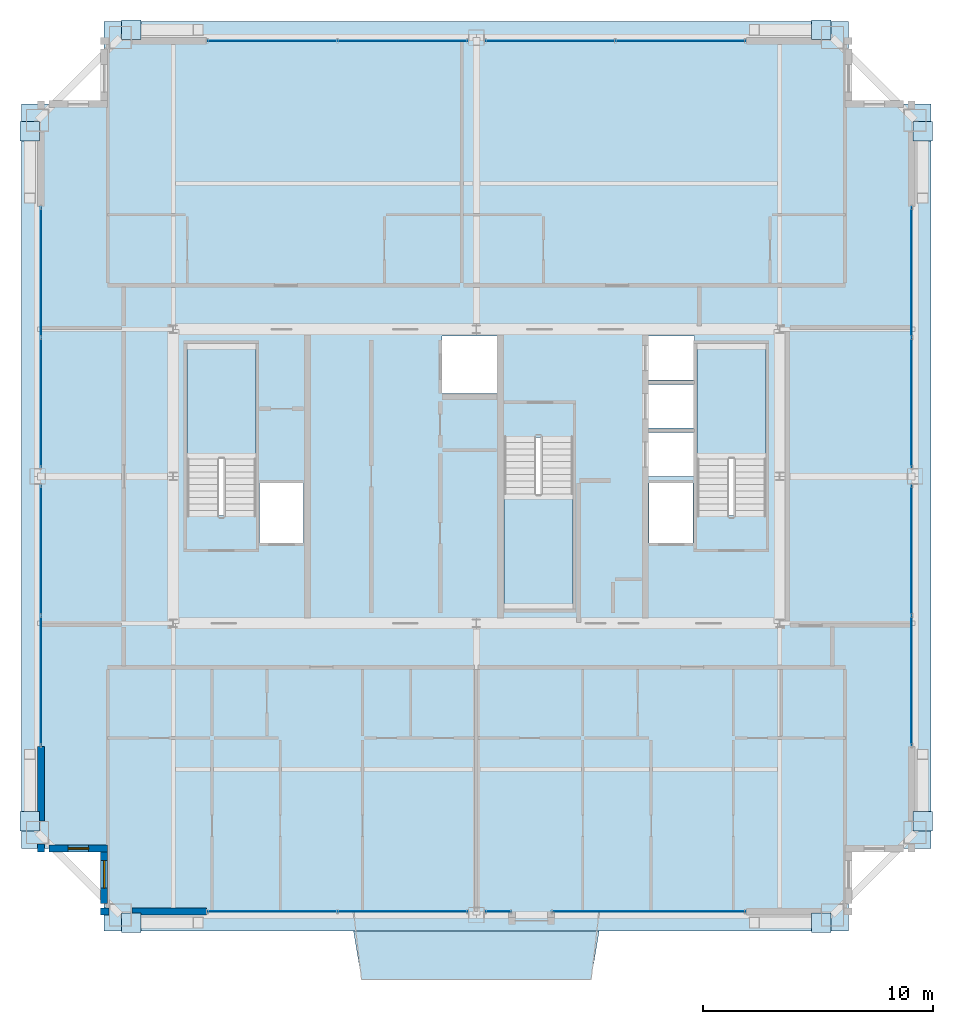
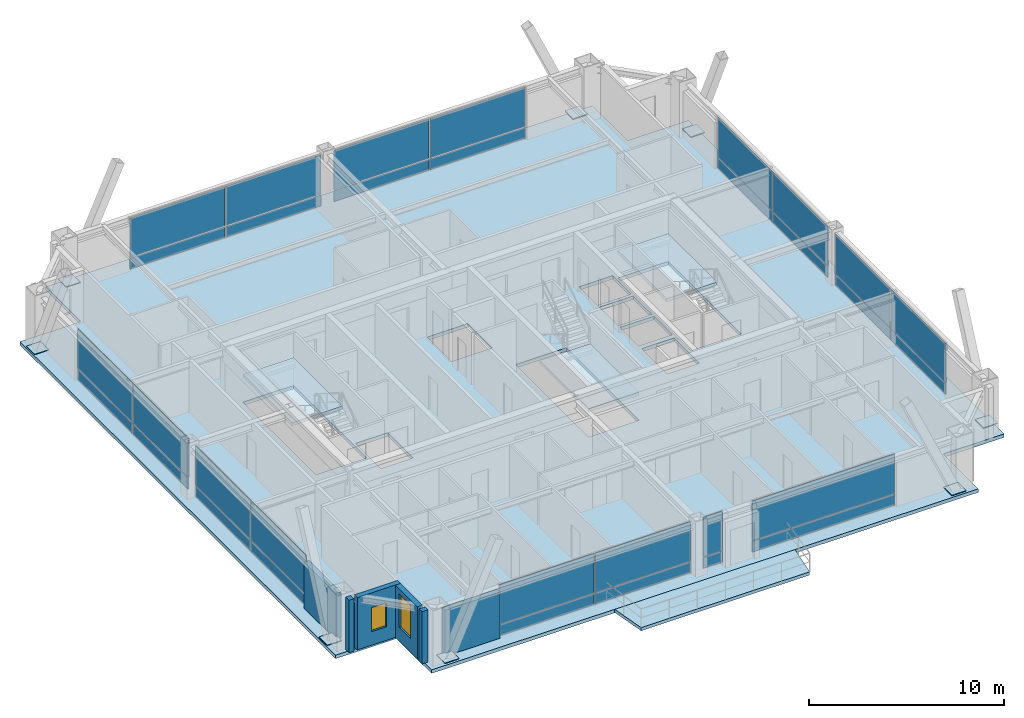
# One storey, part 29 of 34: 40 plates, 6 walls, 5 slabs, 2 windows, 2 openings, 12 elements without a shape of their own.
"""IFC4 building model written with IfcOpenShell, lengths in metres."""

from ifc_helpers import new_model, si_unit, direction, frame, frame_2d, origin, origin_2d, place, context, subcontext, project, spatial, polyline, rectangle, outline, extrude, source, transform, mapped, material, layer, layer_set, type_object, element, fill, aggregate, save


model = new_model("IFC4")

# Units and contexts
model_context = context("Model", 3, precision=1e-05, world=origin(), true_north=direction((0.0, 1.0)))
body_context = subcontext(model_context, "Body", "Model", "MODEL_VIEW")
ifc_project = project(units=[si_unit("LENGTHUNIT", "METRE"), si_unit("AREAUNIT", "SQUARE_METRE"), si_unit("VOLUMEUNIT", "CUBIC_METRE"), si_unit("PLANEANGLEUNIT", "RADIAN"), si_unit("MASSUNIT", "GRAM", prefix="KILO"), si_unit("THERMODYNAMICTEMPERATUREUNIT", "KELVIN"), si_unit("POWERUNIT", "WATT")], contexts=[model_context])

# Site, building, storey
site_placement = place(None, origin())
site = spatial("IfcSite", under=ifc_project, at=site_placement, CompositionType="ELEMENT")
building_placement = place(site_placement, origin())
building = spatial("IfcBuilding", under=site, at=building_placement, Name="Yuzanri Waterfront Tower", CompositionType="ELEMENT")
storey_placement = place(building_placement, frame((0.0, 0.0, 328.699951171875)))
storey = spatial("IfcBuildingStorey", under=building, at=storey_placement, Name="L88", CompositionType="ELEMENT", Elevation=328.699951171875)

# Slab
ifc_material_1 = material(Name="Concrete C40", Category="concrete")
ifc_layer_1 = layer(ifc_material_1, 0.199951171875)
ifc_layer_set_1 = layer_set([ifc_layer_1], Name="Concrete C40")
slab_type_1 = type_object("IfcSlabType", Name="Concrete C40 Cantilevered Engawa Wave Terrace Slab 200", PredefinedType="FLOOR", material=ifc_layer_set_1)
slab_1_placement = place(storey_placement, frame((0.0, 0.0, -0.199951171875)))
element("IfcSlab", 1, at=slab_1_placement, inside=storey, type_object=slab_type_1, Name="L88 S Cantilevered Engawa Terrace Slab", PredefinedType="FLOOR", context=body_context, shape_type="SweptSolid", body=[
    extrude(outline(polyline([(31.654541015625, 6.0), (42.345458984375, 6.0), (41.99560546875, 3.90087890625), (32.00439453125, 3.90087890625), (31.654541015625, 6.0)])), origin(), (0.0, 0.0, 1.0), 0.199951171875),
])

# Stair, slab
ifc_material_2 = material(Name="Concrete C40", Category="concrete")
stair_type = type_object("IfcStairType", Name="Concrete C40 Core Dogleg Exit Stair", PredefinedType="HALF_TURN_STAIR", material=ifc_material_2)
stair_1_placement = place(storey_placement, origin())
stair_1 = element("IfcStair", 2, at=stair_1_placement, inside=storey, type_object=stair_type, Name="L88 Smoke-Proof Core Stair ST-01", PredefinedType="HALF_TURN_STAIR")
ifc_material_3 = material(Name="Concrete C40", Category="concrete")
ifc_layer_2 = layer(ifc_material_3, 0.179931640625)
ifc_layer_set_2 = layer_set([ifc_layer_2], Name="Concrete C40")
slab_type_2 = type_object("IfcSlabType", Name="Concrete C40 Stair Half-Landing Slab 180", PredefinedType="LANDING", material=ifc_layer_set_2)
slab_2_placement = place(storey_placement, frame((0.0, 0.0, 1.550048828125)))
slab_2 = element("IfcSlab", 3, at=slab_2_placement, type_object=slab_type_2, Name="ST-01 landing 1", PredefinedType="LANDING", context=body_context, shape_type="SweptSolid", body=[
    extrude(outline(polyline([(27.39990234375, 26.56005859375), (27.39990234375, 31.580078125), (24.39990234375, 31.580078125), (24.39990234375, 26.56005859375), (27.39990234375, 26.56005859375)])), origin(), (0.0, 0.0, 1.0), 0.199951171875),
])
aggregate(stair_1, [slab_2])

stair_2_placement = place(storey_placement, origin())
stair_2 = element("IfcStair", 4, at=stair_2_placement, inside=storey, type_object=stair_type, Name="L88 Smoke-Proof Core Stair ST-02", PredefinedType="HALF_TURN_STAIR")
slab_3_placement = place(storey_placement, frame((0.0, 0.0, 1.550048828125)))
slab_3 = element("IfcSlab", 5, at=slab_3_placement, type_object=slab_type_2, Name="ST-02 landing 1", PredefinedType="LANDING", context=body_context, shape_type="SweptSolid", body=[
    extrude(outline(polyline([(49.60009765625, 26.56005859375), (49.60009765625, 31.580078125), (46.60009765625, 31.580078125), (46.60009765625, 26.56005859375), (49.60009765625, 26.56005859375)])), origin(), (0.0, 0.0, 1.0), 0.199951171875),
])
aggregate(stair_2, [slab_3])

stair_3_placement = place(storey_placement, origin())
stair_3 = element("IfcStair", 6, at=stair_3_placement, inside=storey, type_object=stair_type, Name="L88 Smoke-Proof Core Stair ST-03", PredefinedType="HALF_TURN_STAIR")
slab_4_placement = place(storey_placement, frame((0.0, 0.0, 1.550048828125)))
slab_4 = element("IfcSlab", 7, at=slab_4_placement, type_object=slab_type_2, Name="ST-03 landing 1", PredefinedType="LANDING", context=body_context, shape_type="SweptSolid", body=[
    extrude(outline(polyline([(38.199951171875, 25.0400390625), (38.199951171875, 20.02001953125), (41.199951171875, 20.02001953125), (41.199951171875, 25.0400390625), (38.199951171875, 25.0400390625)])), origin(), (0.0, 0.0, 1.0), 0.199951171875),
])
aggregate(stair_3, [slab_4])

# Slab
ifc_material_4 = material(Name="Concrete C40", Category="concrete")
ifc_layer_3 = layer(ifc_material_4, 0.219970703125)
ifc_layer_set_3 = layer_set([ifc_layer_3], Name="Concrete C40")
slab_type_3 = type_object("IfcSlabType", Name="Concrete C40 Tower Typical Structural Floor Slab 220", PredefinedType="FLOOR", material=ifc_layer_set_3)
slab_5_placement = place(storey_placement, frame((0.0, 0.0, -0.219970703125)))
element("IfcSlab", 8, at=slab_5_placement, inside=storey, type_object=slab_type_3, Name="L88 Main Structural Floor Slab", PredefinedType="FLOOR", context=body_context, shape_type="SweptSolid", body=[
    extrude(outline(polyline([(20.800048828125, 6.0), (53.199951171875, 6.0), (53.199951171875, 9.60009765625), (56.800048828125, 9.60009765625), (56.800048828125, 42.0), (53.199951171875, 42.0), (53.199951171875, 45.60009765625), (20.800048828125, 45.60009765625), (20.800048828125, 42.0), (17.199951171875, 42.0), (17.199951171875, 9.60009765625), (20.800048828125, 9.60009765625), (20.800048828125, 6.0)]), holes=[polyline([(27.39990234375, 24.10009765625), (27.39990234375, 31.580078125), (24.39990234375, 31.580078125), (24.39990234375, 24.10009765625), (27.39990234375, 24.10009765625)]), polyline([(49.60009765625, 24.10009765625), (49.60009765625, 31.580078125), (46.60009765625, 31.580078125), (46.60009765625, 24.10009765625), (49.60009765625, 24.10009765625)]), polyline([(38.199951171875, 27.5), (38.199951171875, 20.02001953125), (41.199951171875, 20.02001953125), (41.199951171875, 27.5), (38.199951171875, 27.5)]), polyline([(27.56005859375, 22.89990234375), (29.47998046875, 22.89990234375), (29.47998046875, 25.5), (27.56005859375, 25.5), (27.56005859375, 22.89990234375)]), polyline([(44.52001953125, 22.89990234375), (46.43994140625, 22.89990234375), (46.43994140625, 25.5), (44.52001953125, 25.5), (44.52001953125, 22.89990234375)]), polyline([(35.5, 29.39990234375), (37.89990234375, 29.39990234375), (37.89990234375, 31.89990234375), (35.5, 31.89990234375), (35.5, 29.39990234375)]), polyline([(44.5, 25.800048828125), (46.5, 25.800048828125), (46.5, 27.699951171875), (44.5, 27.699951171875), (44.5, 25.800048828125)]), polyline([(44.5, 27.89990234375), (46.5, 27.89990234375), (46.5, 29.800048828125), (44.5, 29.800048828125), (44.5, 27.89990234375)]), polyline([(44.5, 30.0), (46.5, 30.0), (46.5, 31.89990234375), (44.5, 31.89990234375), (44.5, 30.0)])]), origin(), (0.0, 0.0, 1.0), 0.219970703125),
])

# Plates
ifc_material_5 = material(Name="Steel Q420GJC", Category="steel")
ifc_layer_4 = layer(ifc_material_5, 0.0400390625)
ifc_layer_set_4 = layer_set([ifc_layer_4], Name="Steel Q420GJC")
plate_type_1 = type_object("IfcPlateType", Name="Steel Q420GJC Mega-Brace Gusset and End-Cap Plate 40", PredefinedType="SHEET", material=ifc_layer_set_4)
shared_shape_1 = source(origin(), body_context, "Body", "SweptSolid", [
    extrude(rectangle(XDim=0.85009765625, YDim=0.85009765625, at=origin_2d()), origin(), (0.0, 0.0, 1.0), 0.0400390625),
])
for number, where, z_axis, x_axis, name in (
    (9, (21.97998046875, 6.360107421875, 0.159912109375), (0.0, 0.0, 1.0), (1.0, 0.0, 0.0), "L88 Mega-Brace Foot Cap Plate S-L"),
    (10, (52.02001953125, 6.360107421875, 0.159912109375), (0.0, 0.0, 1.0), (1.0, 0.0, 0.0), "L88 Mega-Brace Foot Cap Plate S-R"),
    (11, (21.97998046875, 45.239990234375, 0.159912109375), (0.0, 0.0, 1.0), (1.0, 0.0, 0.0), "L88 Mega-Brace Foot Cap Plate N-L"),
    (12, (52.02001953125, 45.239990234375, 0.159912109375), (0.0, 0.0, 1.0), (1.0, 0.0, 0.0), "L88 Mega-Brace Foot Cap Plate N-R"),
    (13, (17.56005859375, 10.780029296875, 0.159912109375), (0.0, 0.0, 1.0), (1.0, 0.0, 0.0), "L88 Mega-Brace Foot Cap Plate W-L"),
    (14, (17.56005859375, 40.820068359375, 0.159912109375), (0.0, 0.0, 1.0), (1.0, 0.0, 0.0), "L88 Mega-Brace Foot Cap Plate W-R"),
    (15, (56.43994140625, 10.780029296875, 0.159912109375), (0.0, 0.0, 1.0), (1.0, 0.0, 0.0), "L88 Mega-Brace Foot Cap Plate E-L"),
    (16, (56.43994140625, 40.820068359375, 0.159912109375), (0.0, 0.0, 1.0), (1.0, 0.0, 0.0), "L88 Mega-Brace Foot Cap Plate E-R"),
):
    element("IfcPlate", number, at=place(storey_placement, frame(where, z_axis=z_axis, x_axis=x_axis)), inside=storey, type_object=plate_type_1, Name=name, PredefinedType="SHEET", context=body_context, shape_type="MappedRepresentation", body=[
        mapped(shared_shape_1, transform((0.0, 0.0, 0.0), scale=1.0)),
    ])

# Curtain wall, plates
ifc_material_6 = material(Name="Anodized Architectural Bronze", Category="metal")
ifc_layer_5 = layer(ifc_material_6, 0.159912109375)
ifc_layer_set_5 = layer_set([ifc_layer_5], Name="Anodized Architectural Bronze")
curtain_wall_type = type_object("IfcCurtainWallType", Name="Anodized Bronze High-Rise Penthouse High-Wind Unitized Curtain Wall 6900", PredefinedType="NOTDEFINED", material=ifc_layer_set_5)
curtain_wall_1_placement = place(storey_placement, origin())
curtain_wall_1 = element("IfcCurtainWall", 17, at=curtain_wall_1_placement, inside=storey, type_object=curtain_wall_type, Name="L88 Curtain Wall CW-L88-SL", PredefinedType="NOTDEFINED")
ifc_material_7 = material(Name="Anodized Architectural Bronze", Category="metal")
ifc_layer_6 = layer(ifc_material_7, 0.028076171875)
ifc_layer_set_6 = layer_set([ifc_layer_6], Name="Anodized Architectural Bronze")
plate_type_2 = type_object("IfcPlateType", Name="Bronze Insulated Spandrel Shadow-Box Panel 28", PredefinedType="CURTAIN_PANEL", material=ifc_layer_set_6)
shared_shape_2 = source(origin(), body_context, "Body", "SweptSolid", [
    extrude(rectangle(XDim=5.6201171875, YDim=0.028076171875, at=origin_2d()), origin(), (0.0, 0.0, 1.0), 0.674072265625),
])
plate_1_placement = place(storey_placement, frame((28.10009765625, 6.85009765625, 0.0498046875), z_axis=(0.0, 0.0, 1.0), x_axis=(1.0, 0.0, 0.0)))
plate_1 = element("IfcPlate", 18, at=plate_1_placement, type_object=plate_type_2, Name="CW-L88-SL Spandrel Panel 01", PredefinedType="CURTAIN_PANEL", context=body_context, shape_type="MappedRepresentation", body=[
    mapped(shared_shape_2, transform((0.0, 0.0, 0.0), scale=1.0)),
])
plate_2_placement = place(storey_placement, frame((33.800048828125, 6.85009765625, 0.0498046875), z_axis=(0.0, 0.0, 1.0), x_axis=(1.0, 0.0, 0.0)))
plate_2 = element("IfcPlate", 19, at=plate_2_placement, type_object=plate_type_2, Name="CW-L88-SL Spandrel Panel 02", PredefinedType="CURTAIN_PANEL", context=body_context, shape_type="MappedRepresentation", body=[
    mapped(shared_shape_2, transform((0.0, 0.0, 0.0), scale=1.0)),
])

curtain_wall_2_placement = place(storey_placement, origin())
curtain_wall_2 = element("IfcCurtainWall", 20, at=curtain_wall_2_placement, inside=storey, type_object=curtain_wall_type, Name="L88 Curtain Wall CW-L88-NL", PredefinedType="NOTDEFINED")
plate_3_placement = place(storey_placement, frame((28.10009765625, 44.75, 0.0498046875), z_axis=(0.0, 0.0, 1.0), x_axis=(1.0, 0.0, 0.0)))
plate_3 = element("IfcPlate", 21, at=plate_3_placement, type_object=plate_type_2, Name="CW-L88-NL Spandrel Panel 01", PredefinedType="CURTAIN_PANEL", context=body_context, shape_type="MappedRepresentation", body=[
    mapped(shared_shape_2, transform((0.0, 0.0, 0.0), scale=1.0)),
])
plate_4_placement = place(storey_placement, frame((33.800048828125, 44.75, 0.0498046875), z_axis=(0.0, 0.0, 1.0), x_axis=(1.0, 0.0, 0.0)))
plate_4 = element("IfcPlate", 22, at=plate_4_placement, type_object=plate_type_2, Name="CW-L88-NL Spandrel Panel 02", PredefinedType="CURTAIN_PANEL", context=body_context, shape_type="MappedRepresentation", body=[
    mapped(shared_shape_2, transform((0.0, 0.0, 0.0), scale=1.0)),
])

curtain_wall_3_placement = place(storey_placement, origin())
curtain_wall_3 = element("IfcCurtainWall", 23, at=curtain_wall_3_placement, inside=storey, type_object=curtain_wall_type, Name="L88 Curtain Wall CW-L88-NR", PredefinedType="NOTDEFINED")
plate_5_placement = place(storey_placement, frame((40.199951171875, 44.75, 0.0498046875), z_axis=(0.0, 0.0, 1.0), x_axis=(1.0, 0.0, 0.0)))
plate_5 = element("IfcPlate", 24, at=plate_5_placement, type_object=plate_type_2, Name="CW-L88-NR Spandrel Panel 01", PredefinedType="CURTAIN_PANEL", context=body_context, shape_type="MappedRepresentation", body=[
    mapped(shared_shape_2, transform((0.0, 0.0, 0.0), scale=1.0)),
])
plate_6_placement = place(storey_placement, frame((45.89990234375, 44.75, 0.0498046875), z_axis=(0.0, 0.0, 1.0), x_axis=(1.0, 0.0, 0.0)))
plate_6 = element("IfcPlate", 25, at=plate_6_placement, type_object=plate_type_2, Name="CW-L88-NR Spandrel Panel 02", PredefinedType="CURTAIN_PANEL", context=body_context, shape_type="MappedRepresentation", body=[
    mapped(shared_shape_2, transform((0.0, 0.0, 0.0), scale=1.0)),
])

curtain_wall_4_placement = place(storey_placement, origin())
curtain_wall_4 = element("IfcCurtainWall", 26, at=curtain_wall_4_placement, inside=storey, type_object=curtain_wall_type, Name="L88 Curtain Wall CW-L88-WL", PredefinedType="NOTDEFINED")
plate_7_placement = place(storey_placement, frame((18.050048828125, 16.89990234375, 0.0498046875), z_axis=(0.0, 0.0, 1.0), x_axis=(0.0, 1.0, 0.0)))
plate_7 = element("IfcPlate", 27, at=plate_7_placement, type_object=plate_type_2, Name="CW-L88-WL Spandrel Panel 01", PredefinedType="CURTAIN_PANEL", context=body_context, shape_type="MappedRepresentation", body=[
    mapped(shared_shape_2, transform((0.0, 0.0, 0.0), scale=1.0)),
])
plate_8_placement = place(storey_placement, frame((18.050048828125, 22.60009765625, 0.0498046875), z_axis=(0.0, 0.0, 1.0), x_axis=(0.0, 1.0, 0.0)))
plate_8 = element("IfcPlate", 28, at=plate_8_placement, type_object=plate_type_2, Name="CW-L88-WL Spandrel Panel 02", PredefinedType="CURTAIN_PANEL", context=body_context, shape_type="MappedRepresentation", body=[
    mapped(shared_shape_2, transform((0.0, 0.0, 0.0), scale=1.0)),
])

curtain_wall_5_placement = place(storey_placement, origin())
curtain_wall_5 = element("IfcCurtainWall", 29, at=curtain_wall_5_placement, inside=storey, type_object=curtain_wall_type, Name="L88 Curtain Wall CW-L88-WR", PredefinedType="NOTDEFINED")
plate_9_placement = place(storey_placement, frame((18.050048828125, 29.0, 0.0498046875), z_axis=(0.0, 0.0, 1.0), x_axis=(0.0, 1.0, 0.0)))
plate_9 = element("IfcPlate", 30, at=plate_9_placement, type_object=plate_type_2, Name="CW-L88-WR Spandrel Panel 01", PredefinedType="CURTAIN_PANEL", context=body_context, shape_type="MappedRepresentation", body=[
    mapped(shared_shape_2, transform((0.0, 0.0, 0.0), scale=1.0)),
])
plate_10_placement = place(storey_placement, frame((18.050048828125, 34.699951171875, 0.0498046875), z_axis=(0.0, 0.0, 1.0), x_axis=(0.0, 1.0, 0.0)))
plate_10 = element("IfcPlate", 31, at=plate_10_placement, type_object=plate_type_2, Name="CW-L88-WR Spandrel Panel 02", PredefinedType="CURTAIN_PANEL", context=body_context, shape_type="MappedRepresentation", body=[
    mapped(shared_shape_2, transform((0.0, 0.0, 0.0), scale=1.0)),
])

curtain_wall_6_placement = place(storey_placement, origin())
curtain_wall_6 = element("IfcCurtainWall", 32, at=curtain_wall_6_placement, inside=storey, type_object=curtain_wall_type, Name="L88 Curtain Wall CW-L88-EL", PredefinedType="NOTDEFINED")
plate_11_placement = place(storey_placement, frame((55.949951171875, 16.89990234375, 0.0498046875), z_axis=(0.0, 0.0, 1.0), x_axis=(0.0, 1.0, 0.0)))
plate_11 = element("IfcPlate", 33, at=plate_11_placement, type_object=plate_type_2, Name="CW-L88-EL Spandrel Panel 01", PredefinedType="CURTAIN_PANEL", context=body_context, shape_type="MappedRepresentation", body=[
    mapped(shared_shape_2, transform((0.0, 0.0, 0.0), scale=1.0)),
])
plate_12_placement = place(storey_placement, frame((55.949951171875, 22.60009765625, 0.0498046875), z_axis=(0.0, 0.0, 1.0), x_axis=(0.0, 1.0, 0.0)))
plate_12 = element("IfcPlate", 34, at=plate_12_placement, type_object=plate_type_2, Name="CW-L88-EL Spandrel Panel 02", PredefinedType="CURTAIN_PANEL", context=body_context, shape_type="MappedRepresentation", body=[
    mapped(shared_shape_2, transform((0.0, 0.0, 0.0), scale=1.0)),
])

curtain_wall_7_placement = place(storey_placement, origin())
curtain_wall_7 = element("IfcCurtainWall", 35, at=curtain_wall_7_placement, inside=storey, type_object=curtain_wall_type, Name="L88 Curtain Wall CW-L88-ER", PredefinedType="NOTDEFINED")
plate_13_placement = place(storey_placement, frame((55.949951171875, 29.0, 0.0498046875), z_axis=(0.0, 0.0, 1.0), x_axis=(0.0, 1.0, 0.0)))
plate_13 = element("IfcPlate", 36, at=plate_13_placement, type_object=plate_type_2, Name="CW-L88-ER Spandrel Panel 01", PredefinedType="CURTAIN_PANEL", context=body_context, shape_type="MappedRepresentation", body=[
    mapped(shared_shape_2, transform((0.0, 0.0, 0.0), scale=1.0)),
])
plate_14_placement = place(storey_placement, frame((55.949951171875, 34.699951171875, 0.0498046875), z_axis=(0.0, 0.0, 1.0), x_axis=(0.0, 1.0, 0.0)))
plate_14 = element("IfcPlate", 37, at=plate_14_placement, type_object=plate_type_2, Name="CW-L88-ER Spandrel Panel 02", PredefinedType="CURTAIN_PANEL", context=body_context, shape_type="MappedRepresentation", body=[
    mapped(shared_shape_2, transform((0.0, 0.0, 0.0), scale=1.0)),
])

# Plate
ifc_material_8 = material(Name="Triple Low-E Laminated Insulated Glass", Category="glass")
ifc_layer_7 = layer(ifc_material_8, 0.0439453125)
ifc_layer_set_7 = layer_set([ifc_layer_7], Name="Triple Low-E Laminated Insulated Glass")
plate_type_3 = type_object("IfcPlateType", Name="Triple Glazed Acoustic Vision Glass Panel 44", PredefinedType="CURTAIN_PANEL", material=ifc_layer_set_7)
shared_shape_3 = source(origin(), body_context, "Body", "SweptSolid", [
    extrude(rectangle(XDim=5.6201171875, YDim=0.0439453125, at=origin_2d()), origin(), (0.0, 0.0, 1.0), 2.446044921875),
])
plate_15_placement = place(storey_placement, frame((28.10009765625, 6.85009765625, 0.7841796875), z_axis=(0.0, 0.0, 1.0), x_axis=(1.0, 0.0, 0.0)))
plate_15 = element("IfcPlate", 38, at=plate_15_placement, type_object=plate_type_3, Name="CW-L88-SL Vision Glass Panel 01", PredefinedType="CURTAIN_PANEL", context=body_context, shape_type="MappedRepresentation", body=[
    mapped(shared_shape_3, transform((0.0, 0.0, 0.0), scale=1.0)),
])

plate_16_placement = place(storey_placement, frame((33.800048828125, 6.85009765625, 0.7841796875), z_axis=(0.0, 0.0, 1.0), x_axis=(1.0, 0.0, 0.0)))
plate_16 = element("IfcPlate", 39, at=plate_16_placement, type_object=plate_type_3, Name="CW-L88-SL Vision Glass Panel 02", PredefinedType="CURTAIN_PANEL", context=body_context, shape_type="MappedRepresentation", body=[
    mapped(shared_shape_3, transform((0.0, 0.0, 0.0), scale=1.0)),
])

aggregate(curtain_wall_1, [plate_1, plate_15, plate_2, plate_16])

plate_17_placement = place(storey_placement, frame((28.10009765625, 44.75, 0.7841796875), z_axis=(0.0, 0.0, 1.0), x_axis=(1.0, 0.0, 0.0)))
plate_17 = element("IfcPlate", 40, at=plate_17_placement, type_object=plate_type_3, Name="CW-L88-NL Vision Glass Panel 01", PredefinedType="CURTAIN_PANEL", context=body_context, shape_type="MappedRepresentation", body=[
    mapped(shared_shape_3, transform((0.0, 0.0, 0.0), scale=1.0)),
])

plate_18_placement = place(storey_placement, frame((33.800048828125, 44.75, 0.7841796875), z_axis=(0.0, 0.0, 1.0), x_axis=(1.0, 0.0, 0.0)))
plate_18 = element("IfcPlate", 41, at=plate_18_placement, type_object=plate_type_3, Name="CW-L88-NL Vision Glass Panel 02", PredefinedType="CURTAIN_PANEL", context=body_context, shape_type="MappedRepresentation", body=[
    mapped(shared_shape_3, transform((0.0, 0.0, 0.0), scale=1.0)),
])

aggregate(curtain_wall_2, [plate_3, plate_17, plate_4, plate_18])

plate_19_placement = place(storey_placement, frame((40.199951171875, 44.75, 0.7841796875), z_axis=(0.0, 0.0, 1.0), x_axis=(1.0, 0.0, 0.0)))
plate_19 = element("IfcPlate", 42, at=plate_19_placement, type_object=plate_type_3, Name="CW-L88-NR Vision Glass Panel 01", PredefinedType="CURTAIN_PANEL", context=body_context, shape_type="MappedRepresentation", body=[
    mapped(shared_shape_3, transform((0.0, 0.0, 0.0), scale=1.0)),
])

plate_20_placement = place(storey_placement, frame((45.89990234375, 44.75, 0.7841796875), z_axis=(0.0, 0.0, 1.0), x_axis=(1.0, 0.0, 0.0)))
plate_20 = element("IfcPlate", 43, at=plate_20_placement, type_object=plate_type_3, Name="CW-L88-NR Vision Glass Panel 02", PredefinedType="CURTAIN_PANEL", context=body_context, shape_type="MappedRepresentation", body=[
    mapped(shared_shape_3, transform((0.0, 0.0, 0.0), scale=1.0)),
])

aggregate(curtain_wall_3, [plate_5, plate_19, plate_6, plate_20])

plate_21_placement = place(storey_placement, frame((18.050048828125, 16.89990234375, 0.7841796875), z_axis=(0.0, 0.0, 1.0), x_axis=(0.0, 1.0, 0.0)))
plate_21 = element("IfcPlate", 44, at=plate_21_placement, type_object=plate_type_3, Name="CW-L88-WL Vision Glass Panel 01", PredefinedType="CURTAIN_PANEL", context=body_context, shape_type="MappedRepresentation", body=[
    mapped(shared_shape_3, transform((0.0, 0.0, 0.0), scale=1.0)),
])

plate_22_placement = place(storey_placement, frame((18.050048828125, 22.60009765625, 0.7841796875), z_axis=(0.0, 0.0, 1.0), x_axis=(0.0, 1.0, 0.0)))
plate_22 = element("IfcPlate", 45, at=plate_22_placement, type_object=plate_type_3, Name="CW-L88-WL Vision Glass Panel 02", PredefinedType="CURTAIN_PANEL", context=body_context, shape_type="MappedRepresentation", body=[
    mapped(shared_shape_3, transform((0.0, 0.0, 0.0), scale=1.0)),
])

aggregate(curtain_wall_4, [plate_7, plate_21, plate_8, plate_22])

plate_23_placement = place(storey_placement, frame((18.050048828125, 29.0, 0.7841796875), z_axis=(0.0, 0.0, 1.0), x_axis=(0.0, 1.0, 0.0)))
plate_23 = element("IfcPlate", 46, at=plate_23_placement, type_object=plate_type_3, Name="CW-L88-WR Vision Glass Panel 01", PredefinedType="CURTAIN_PANEL", context=body_context, shape_type="MappedRepresentation", body=[
    mapped(shared_shape_3, transform((0.0, 0.0, 0.0), scale=1.0)),
])

plate_24_placement = place(storey_placement, frame((18.050048828125, 34.699951171875, 0.7841796875), z_axis=(0.0, 0.0, 1.0), x_axis=(0.0, 1.0, 0.0)))
plate_24 = element("IfcPlate", 47, at=plate_24_placement, type_object=plate_type_3, Name="CW-L88-WR Vision Glass Panel 02", PredefinedType="CURTAIN_PANEL", context=body_context, shape_type="MappedRepresentation", body=[
    mapped(shared_shape_3, transform((0.0, 0.0, 0.0), scale=1.0)),
])

aggregate(curtain_wall_5, [plate_9, plate_23, plate_10, plate_24])

plate_25_placement = place(storey_placement, frame((55.949951171875, 16.89990234375, 0.7841796875), z_axis=(0.0, 0.0, 1.0), x_axis=(0.0, 1.0, 0.0)))
plate_25 = element("IfcPlate", 48, at=plate_25_placement, type_object=plate_type_3, Name="CW-L88-EL Vision Glass Panel 01", PredefinedType="CURTAIN_PANEL", context=body_context, shape_type="MappedRepresentation", body=[
    mapped(shared_shape_3, transform((0.0, 0.0, 0.0), scale=1.0)),
])

plate_26_placement = place(storey_placement, frame((55.949951171875, 22.60009765625, 0.7841796875), z_axis=(0.0, 0.0, 1.0), x_axis=(0.0, 1.0, 0.0)))
plate_26 = element("IfcPlate", 49, at=plate_26_placement, type_object=plate_type_3, Name="CW-L88-EL Vision Glass Panel 02", PredefinedType="CURTAIN_PANEL", context=body_context, shape_type="MappedRepresentation", body=[
    mapped(shared_shape_3, transform((0.0, 0.0, 0.0), scale=1.0)),
])

aggregate(curtain_wall_6, [plate_11, plate_25, plate_12, plate_26])

plate_27_placement = place(storey_placement, frame((55.949951171875, 29.0, 0.7841796875), z_axis=(0.0, 0.0, 1.0), x_axis=(0.0, 1.0, 0.0)))
plate_27 = element("IfcPlate", 50, at=plate_27_placement, type_object=plate_type_3, Name="CW-L88-ER Vision Glass Panel 01", PredefinedType="CURTAIN_PANEL", context=body_context, shape_type="MappedRepresentation", body=[
    mapped(shared_shape_3, transform((0.0, 0.0, 0.0), scale=1.0)),
])

plate_28_placement = place(storey_placement, frame((55.949951171875, 34.699951171875, 0.7841796875), z_axis=(0.0, 0.0, 1.0), x_axis=(0.0, 1.0, 0.0)))
plate_28 = element("IfcPlate", 51, at=plate_28_placement, type_object=plate_type_3, Name="CW-L88-ER Vision Glass Panel 02", PredefinedType="CURTAIN_PANEL", context=body_context, shape_type="MappedRepresentation", body=[
    mapped(shared_shape_3, transform((0.0, 0.0, 0.0), scale=1.0)),
])

aggregate(curtain_wall_7, [plate_13, plate_27, plate_14, plate_28])

# Curtain wall, plates
curtain_wall_8_placement = place(storey_placement, origin())
curtain_wall_8 = element("IfcCurtainWall", 52, at=curtain_wall_8_placement, inside=storey, type_object=curtain_wall_type, Name="L88 Curtain Wall CW-L88-SR1", PredefinedType="NOTDEFINED")
shared_shape_4 = source(origin(), body_context, "Body", "SweptSolid", [
    extrude(rectangle(XDim=1.1201171875, YDim=0.028076171875, at=origin_2d()), origin(), (0.0, 0.0, 1.0), 0.674072265625),
])
plate_29_placement = place(storey_placement, frame((37.949951171875, 6.85009765625, 0.0498046875), z_axis=(0.0, 0.0, 1.0), x_axis=(1.0, 0.0, 0.0)))
plate_29 = element("IfcPlate", 53, at=plate_29_placement, type_object=plate_type_2, Name="CW-L88-SR1 Spandrel Panel 01", PredefinedType="CURTAIN_PANEL", context=body_context, shape_type="MappedRepresentation", body=[
    mapped(shared_shape_4, transform((0.0, 0.0, 0.0), scale=1.0)),
])
shared_shape_5 = source(origin(), body_context, "Body", "SweptSolid", [
    extrude(rectangle(XDim=1.1201171875, YDim=0.0439453125, at=origin_2d()), origin(), (0.0, 0.0, 1.0), 2.446044921875),
])
plate_30_placement = place(storey_placement, frame((37.949951171875, 6.85009765625, 0.7841796875), z_axis=(0.0, 0.0, 1.0), x_axis=(1.0, 0.0, 0.0)))
plate_30 = element("IfcPlate", 54, at=plate_30_placement, type_object=plate_type_3, Name="CW-L88-SR1 Vision Glass Panel 01", PredefinedType="CURTAIN_PANEL", context=body_context, shape_type="MappedRepresentation", body=[
    mapped(shared_shape_5, transform((0.0, 0.0, 0.0), scale=1.0)),
])
aggregate(curtain_wall_8, [plate_29, plate_30])

curtain_wall_9_placement = place(storey_placement, origin())
curtain_wall_9 = element("IfcCurtainWall", 55, at=curtain_wall_9_placement, inside=storey, type_object=curtain_wall_type, Name="L88 Curtain Wall CW-L88-SR2", PredefinedType="NOTDEFINED")
shared_shape_6 = source(origin(), body_context, "Body", "SweptSolid", [
    extrude(rectangle(XDim=8.419921875, YDim=0.028076171875, at=origin_2d()), origin(), (0.0, 0.0, 1.0), 0.674072265625),
])
plate_31_placement = place(storey_placement, frame((44.5, 6.85009765625, 0.0498046875), z_axis=(0.0, 0.0, 1.0), x_axis=(1.0, 0.0, 0.0)))
plate_31 = element("IfcPlate", 56, at=plate_31_placement, type_object=plate_type_2, Name="CW-L88-SR2 Spandrel Panel 01", PredefinedType="CURTAIN_PANEL", context=body_context, shape_type="MappedRepresentation", body=[
    mapped(shared_shape_6, transform((0.0, 0.0, 0.0), scale=1.0)),
])
shared_shape_7 = source(origin(), body_context, "Body", "SweptSolid", [
    extrude(rectangle(XDim=8.419921875, YDim=0.0439453125, at=origin_2d()), origin(), (0.0, 0.0, 1.0), 2.446044921875),
])
plate_32_placement = place(storey_placement, frame((44.5, 6.85009765625, 0.7841796875), z_axis=(0.0, 0.0, 1.0), x_axis=(1.0, 0.0, 0.0)))
plate_32 = element("IfcPlate", 57, at=plate_32_placement, type_object=plate_type_3, Name="CW-L88-SR2 Vision Glass Panel 01", PredefinedType="CURTAIN_PANEL", context=body_context, shape_type="MappedRepresentation", body=[
    mapped(shared_shape_7, transform((0.0, 0.0, 0.0), scale=1.0)),
])
aggregate(curtain_wall_9, [plate_31, plate_32])

# Wall, opening, window
ifc_material_9 = material(Name="Honed Chongqing Dark Basalt Stone", Category="masonry")
ifc_layer_8 = layer(ifc_material_9, 0.300048828125)
ifc_layer_set_8 = layer_set([ifc_layer_8], Name="Honed Chongqing Dark Basalt Stone")
wall_type = type_object("IfcWallType", Name="Bronze Rainscreen Insulated Spandrel Portal Wall 300", PredefinedType="SOLIDWALL", material=ifc_layer_set_8)
wall_1_placement = place(storey_placement, frame((18.39990234375, 9.60009765625, 0.0), z_axis=(0.0, 0.0, 1.0), x_axis=(1.0, 0.0, 0.0)))
wall_1 = element("IfcWall", 58, at=wall_1_placement, inside=storey, type_object=wall_type, Name="L88 Notched Corner Masonry Wall SW-X", PredefinedType="SOLIDWALL", context=body_context, shape_type="SweptSolid", body=[
    extrude(rectangle(XDim=2.550048828125, YDim=0.300048828125, at=frame_2d((1.27490234375, 0.0))), origin(), (0.0, 0.0, 1.0), 3.280029296875),
])
opening_1_placement = place(wall_1_placement, frame((0.824951171875, 0.0, 0.85009765625)))
opening_1 = element("IfcOpeningElement", 59, at=opening_1_placement, cuts=wall_1, Name="Opening WN-05", PredefinedType="OPENING", context=body_context, shape_type="SweptSolid", body=[
    extrude(rectangle(XDim=0.89990234375, YDim=1.5, at=frame_2d((0.449951171875, 0.75))), frame((0.0, 0.1650390625, 0.0), z_axis=(0.0, -1.0, 0.0), x_axis=(1.0, 0.0, 0.0)), (0.0, 0.0, 1.0), 0.329833984375),
])
ifc_material_10 = material(Name="Double-Silver Low-E Insulated Glass", Category="glass")
window_type_1 = type_object("IfcWindowType", Name="Anodized Bronze Service and Stairwell Smoke-Vent Window 900x1500", PartitioningType="SINGLE_PANEL", PredefinedType="WINDOW", material=ifc_material_10)
shared_shape_8 = source(origin(), body_context, "Body", "SweptSolid", [
    extrude(rectangle(XDim=0.89990234375, YDim=1.5, at=frame_2d((0.449951171875, 0.75))), frame((0.0, 0.030029296875, 0.0), z_axis=(0.0, -1.0, 0.0), x_axis=(1.0, 0.0, 0.0)), (0.0, 0.0, 1.0), 0.06005859375),
])
window_1_placement = place(opening_1_placement, origin())
window_1 = element("IfcWindow", 60, at=window_1_placement, inside=storey, type_object=window_type_1, Name="L88 Notched Corner Window SW-X", OverallHeight=1.5, OverallWidth=0.89990234375, PartitioningType="SINGLE_PANEL", PredefinedType="WINDOW", context=body_context, shape_type="MappedRepresentation", body=[
    mapped(shared_shape_8, transform((0.0, 0.0, 0.0), scale=1.0)),
])
fill(opening_1, window_1)

wall_2_placement = place(storey_placement, frame((20.800048828125, 9.75, 0.0), z_axis=(0.0, 0.0, 1.0), x_axis=(0.0, -1.0, 0.0)))
wall_2 = element("IfcWall", 61, at=wall_2_placement, inside=storey, type_object=wall_type, Name="L88 Notched Corner Masonry Wall SW-Y", PredefinedType="SOLIDWALL", context=body_context, shape_type="SweptSolid", body=[
    extrude(rectangle(XDim=2.550048828125, YDim=0.300048828125, at=frame_2d((1.27490234375, 0.0))), origin(), (0.0, 0.0, 1.0), 3.280029296875),
])
opening_2_placement = place(wall_2_placement, frame((0.675048828125, 0.0, 0.85009765625)))
opening_2 = element("IfcOpeningElement", 62, at=opening_2_placement, cuts=wall_2, Name="Opening WN-02", PredefinedType="OPENING", context=body_context, shape_type="SweptSolid", body=[
    extrude(rectangle(XDim=1.199951171875, YDim=2.10009765625, at=frame_2d((0.60009765625, 1.050048828125))), frame((0.0, 0.1650390625, 0.0), z_axis=(0.0, -1.0, 0.0), x_axis=(1.0, 0.0, 0.0)), (0.0, 0.0, 1.0), 0.329833984375),
])
ifc_material_11 = material(Name="Double-Silver Low-E Insulated Glass", Category="glass")
window_type_2 = type_object("IfcWindowType", Name="Anodized Bronze Notched Corner Deep-Set Slot Window 1200x2100", PartitioningType="SINGLE_PANEL", PredefinedType="WINDOW", material=ifc_material_11)
shared_shape_9 = source(origin(), body_context, "Body", "SweptSolid", [
    extrude(rectangle(XDim=1.199951171875, YDim=2.10009765625, at=frame_2d((0.60009765625, 1.050048828125))), frame((0.0, 0.030029296875, 0.0), z_axis=(0.0, -1.0, 0.0), x_axis=(1.0, 0.0, 0.0)), (0.0, 0.0, 1.0), 0.06005859375),
])
window_2_placement = place(opening_2_placement, origin())
window_2 = element("IfcWindow", 63, at=window_2_placement, inside=storey, type_object=window_type_2, Name="L88 Notched Corner Window SW-Y", OverallHeight=2.10009765625, OverallWidth=1.199951171875, PartitioningType="SINGLE_PANEL", PredefinedType="WINDOW", context=body_context, shape_type="MappedRepresentation", body=[
    mapped(shared_shape_9, transform((0.0, 0.0, 0.0), scale=1.0)),
])
fill(opening_2, window_2)

# Walls
shared_shape_10 = source(origin(), body_context, "Body", "SweptSolid", [
    extrude(rectangle(XDim=3.25, YDim=0.300048828125, at=frame_2d((1.625, 0.0))), origin(), (0.0, 0.0, 1.0), 2.885009765625),
])
for number, where, z_axis, x_axis, name in (
    (64, (22.0, 6.85009765625, 0.0), (0.0, 0.0, 1.0), (1.0, 0.0, 0.0), "L88 S Left Braced Masonry Shoulder"),
    (65, (18.050048828125, 10.800048828125, 0.0), (0.0, 0.0, 1.0), (0.0, 1.0, 0.0), "L88 W Left Braced Masonry Shoulder"),
):
    element("IfcWall", number, at=place(storey_placement, frame(where, z_axis=z_axis, x_axis=x_axis)), inside=storey, type_object=wall_type, Name=name, PredefinedType="SOLIDWALL", context=body_context, shape_type="MappedRepresentation", body=[
        mapped(shared_shape_10, transform((0.0, 0.0, 0.0), scale=1.0)),
    ])
shared_shape_11 = source(origin(), body_context, "Body", "SweptSolid", [
    extrude(rectangle(XDim=0.35009765625, YDim=0.300048828125, at=frame_2d((0.175048828125, 0.0))), origin(), (0.0, 0.0, 1.0), 3.280029296875),
])
for number, where, z_axis, x_axis, name in (
    (66, (20.64990234375, 6.85009765625, 0.0), (0.0, 0.0, 1.0), (1.0, 0.0, 0.0), "L88 Corner Column Shoulder Return CSW"),
    (67, (18.050048828125, 9.449951171875, 0.0), (0.0, 0.0, 1.0), (0.0, 1.0, 0.0), "L88 Corner Column Shoulder Return CWS"),
):
    element("IfcWall", number, at=place(storey_placement, frame(where, z_axis=z_axis, x_axis=x_axis)), inside=storey, type_object=wall_type, Name=name, PredefinedType="SOLIDWALL", context=body_context, shape_type="MappedRepresentation", body=[
        mapped(shared_shape_11, transform((0.0, 0.0, 0.0), scale=1.0)),
    ])

save(model, "model.ifc")
